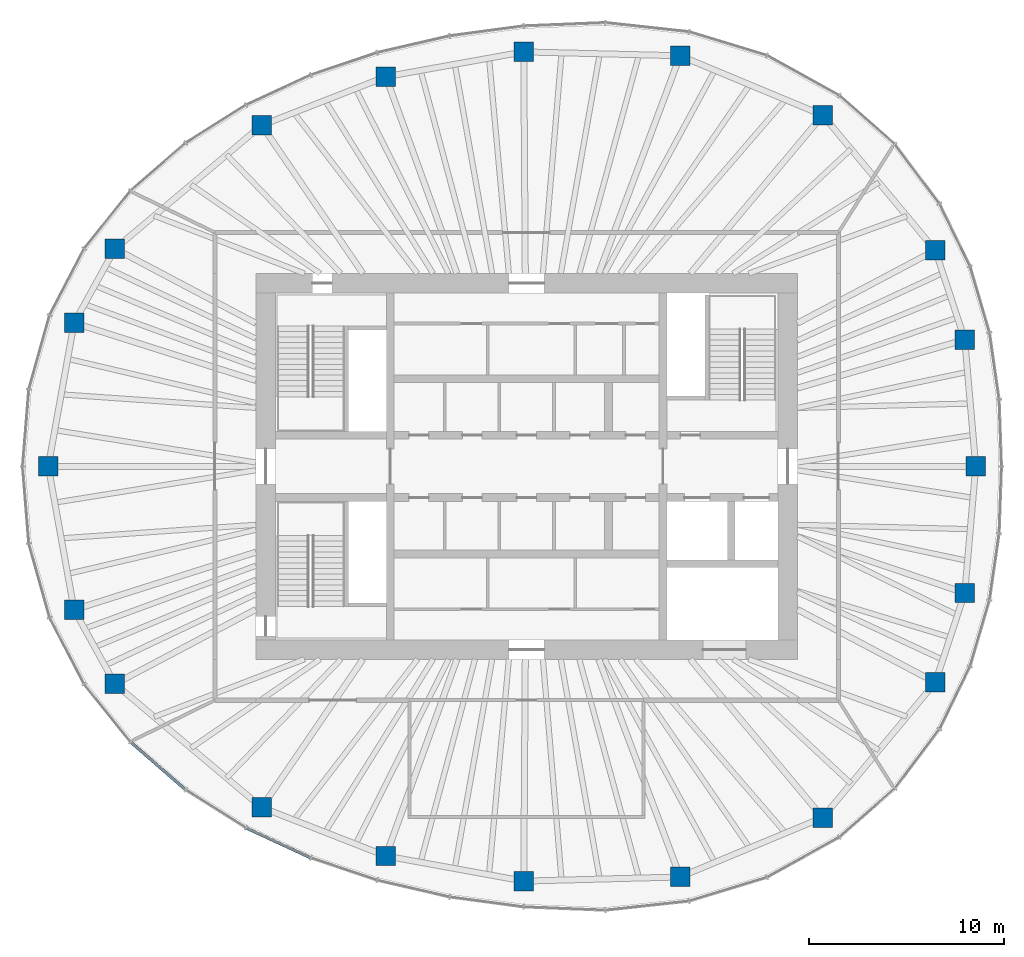
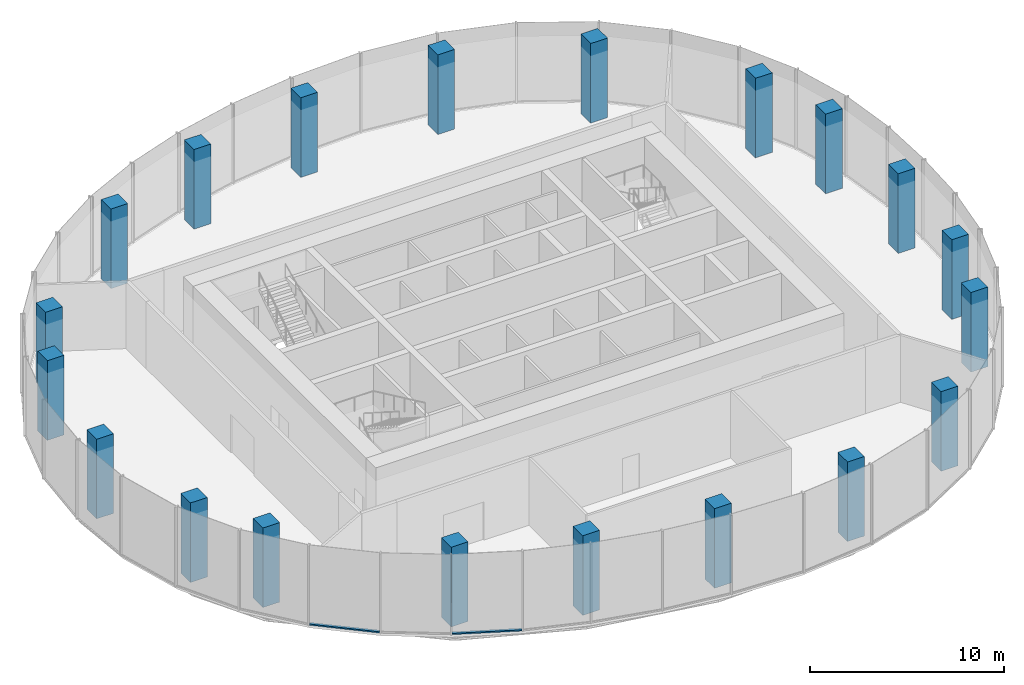
# One storey, part 1 of 11: 20 columns, 2 members, 2 elements without a shape of their own.
"""IFC4 building model written with IfcOpenShell, lengths in metres."""

from ifc_helpers import new_model, si_unit, direction, frame, origin, origin_2d, place, context, subcontext, project, spatial, rectangle, extrude, material, material_profile, profile_set, type_object, element, aggregate, save


model = new_model("IFC4")

# Units and contexts
model_context = context("Model", 3, precision=1e-05, world=origin(), true_north=direction((0.0, 1.0)))
body_context = subcontext(model_context, "Body", "Model", "MODEL_VIEW")
ifc_project = project(units=[si_unit("LENGTHUNIT", "METRE"), si_unit("AREAUNIT", "SQUARE_METRE"), si_unit("VOLUMEUNIT", "CUBIC_METRE"), si_unit("PLANEANGLEUNIT", "RADIAN"), si_unit("MASSUNIT", "GRAM", prefix="KILO")], contexts=[model_context])

# Site, building, storey
site_placement = place(None, origin())
site = spatial("IfcSite", under=ifc_project, at=site_placement, CompositionType="ELEMENT")
building_placement = place(site_placement, origin())
building = spatial("IfcBuilding", under=site, at=building_placement, Name="Ghaith Harvest Tower", CompositionType="ELEMENT")
storey_placement = place(building_placement, frame((0.0, 0.0, 344.199951171875)))
storey = spatial("IfcBuildingStorey", under=building, at=storey_placement, Name="L77", CompositionType="ELEMENT", Elevation=344.199951171875)

# Columns
ifc_material_1 = material(Name="Concrete C50/60", Category="concrete")
ifc_material_profile_1 = material_profile(ifc_material_1, rectangle(XDim=1.0, YDim=1.0, at=origin_2d()), Name="RC1000X1000")
ifc_profile_set_1 = profile_set([ifc_material_profile_1], Name="Concrete C50/60")
column_type = type_object("IfcColumnType", Name="TC8 RC1000X1000", PredefinedType="COLUMN", material=ifc_profile_set_1)
for number, where, z_axis, x_axis, name in (
    (1, (23.050048828125, 0.0, 0.0), (0.0, 0.0, 1.0), (1.0, 0.0, 0.0), "Perimeter column C01"),
    (2, (22.485107421875, 6.4990234375, 0.0), (0.0, 0.0, 1.0), (1.0, 0.0, 0.0), "Perimeter column C02"),
    (3, (20.97705078125, 11.087890625, 0.0), (0.0, 0.0, 1.0), (1.0, 0.0, 0.0), "Perimeter column C03"),
    (4, (15.197998046875, 18.02294921875, 0.0), (0.0, 0.0, 1.0), (1.0, 0.0, 0.0), "Perimeter column C04"),
    (5, (7.8779296875, 21.072021484375, 0.0), (0.0, 0.0, 1.0), (1.0, 0.0, 0.0), "Perimeter column C05"),
    (6, (-0.14599609375, 21.27099609375, 0.0), (0.0, 0.0, 1.0), (1.0, 0.0, 0.0), "Perimeter column C06"),
    (7, (-7.221923828125, 19.9970703125, 0.0), (0.0, 0.0, 1.0), (1.0, 0.0, 0.0), "Perimeter column C07"),
    (8, (-13.594970703125, 17.5048828125, 0.0), (0.0, 0.0, 1.0), (1.0, 0.0, 0.0), "Perimeter column C08"),
    (9, (-21.125, 11.166015625, 0.0), (0.0, 0.0, 1.0), (1.0, 0.0, 0.0), "Perimeter column C09"),
    (10, (-23.22412109375, 7.360107421875, 0.0), (0.0, 0.0, 1.0), (1.0, 0.0, 0.0), "Perimeter column C10"),
    (11, (-24.550048828125, 0.0, 0.0), (0.0, 0.0, 1.0), (1.0, 0.0, 0.0), "Perimeter column C11"),
    (12, (-23.22412109375, -7.360107421875, 0.0), (0.0, 0.0, 1.0), (1.0, 0.0, 0.0), "Perimeter column C12"),
    (13, (-21.125, -11.166015625, 0.0), (0.0, 0.0, 1.0), (1.0, 0.0, 0.0), "Perimeter column C13"),
    (14, (-13.594970703125, -17.5048828125, 0.0), (0.0, 0.0, 1.0), (1.0, 0.0, 0.0), "Perimeter column C14"),
    (15, (-7.221923828125, -19.9970703125, 0.0), (0.0, 0.0, 1.0), (1.0, 0.0, 0.0), "Perimeter column C15"),
    (16, (-0.14599609375, -21.285888671875, 0.0), (0.0, 0.0, 1.0), (1.0, 0.0, 0.0), "Perimeter column C16"),
    (17, (7.8779296875, -21.072021484375, 0.0), (0.0, 0.0, 1.0), (1.0, 0.0, 0.0), "Perimeter column C17"),
    (18, (15.197998046875, -18.02294921875, 0.0), (0.0, 0.0, 1.0), (1.0, 0.0, 0.0), "Perimeter column C18"),
    (19, (20.97705078125, -11.087890625, 0.0), (0.0, 0.0, 1.0), (1.0, 0.0, 0.0), "Perimeter column C19"),
    (20, (22.485107421875, -6.4990234375, 0.0), (0.0, 0.0, 1.0), (1.0, 0.0, 0.0), "Perimeter column C20"),
):
    element("IfcColumn", number, at=place(storey_placement, frame(where, z_axis=z_axis, x_axis=x_axis)), inside=storey, type_object=column_type, Name=name, PredefinedType="COLUMN", context=body_context, shape_type="SweptSolid", body=[
        extrude(rectangle(XDim=1.0, YDim=1.0, at=origin_2d()), origin(), (0.0, 0.0, 1.0), 5.0),
    ])

# Curtain wall, member
ifc_material_2 = material(Name="Black anodised aluminium and fritted glass", Category="aluminium")
curtain_wall_type = type_object("IfcCurtainWallType", Name="CW-C CURTAIN WALL", PredefinedType="NOTDEFINED", material=ifc_material_2)
curtain_wall_1_placement = place(storey_placement, origin())
curtain_wall_1 = element("IfcCurtainWall", 21, at=curtain_wall_1_placement, inside=storey, type_object=curtain_wall_type, Name="Curtain wall CW-C bay 13 L77", PredefinedType="NOTDEFINED")
ifc_material_3 = material(Name="Aluminium, black anodised", Category="aluminium")
ifc_material_profile_2 = material_profile(ifc_material_3, rectangle(XDim=0.159912109375, YDim=0.080078125, at=origin_2d()), Name="CW-C TRANSOM 160x80")
ifc_profile_set_2 = profile_set([ifc_material_profile_2], Name="Aluminium, black anodised")
member_type = type_object("IfcMemberType", Name="CW-C TRANSOM 160x80", PredefinedType="USERDEFINED", material=ifc_profile_set_2)
member_1_placement = place(storey_placement, frame((-20.294189453125, -14.168212890625, 0.0400390625), z_axis=(0.754851889287, -0.65589528527, 0.0), x_axis=(0.65589528527, 0.754851889287, 0.0)))
member_1 = element("IfcMember", 22, at=member_1_placement, type_object=member_type, Name="CW-C transom 1 bay 13 L77", ObjectType="TRANSOM", PredefinedType="USERDEFINED", context=body_context, shape_type="SweptSolid", body=[
    extrude(rectangle(XDim=0.159912109375, YDim=0.080078125, at=origin_2d()), origin(), (0.0, 0.0, 1.0), 3.668701171875),
])
aggregate(curtain_wall_1, [member_1])

curtain_wall_2_placement = place(storey_placement, origin())
curtain_wall_2 = element("IfcCurtainWall", 23, at=curtain_wall_2_placement, inside=storey, type_object=curtain_wall_type, Name="Curtain wall CW-C bay 14 L77", PredefinedType="NOTDEFINED")
member_2_placement = place(storey_placement, frame((-14.36865234375, -18.564697265625, 0.0400390625), z_axis=(0.907472177056, -0.420112184862, 0.0), x_axis=(0.420112184862, 0.907472177056, 0.0)))
member_2 = element("IfcMember", 24, at=member_2_placement, type_object=member_type, Name="CW-C transom 1 bay 14 L77", ObjectType="TRANSOM", PredefinedType="USERDEFINED", context=body_context, shape_type="SweptSolid", body=[
    extrude(rectangle(XDim=0.159912109375, YDim=0.080078125, at=origin_2d()), origin(), (0.0, 0.0, 1.0), 3.597900390625),
])
aggregate(curtain_wall_2, [member_2])

save(model, "model.ifc")
